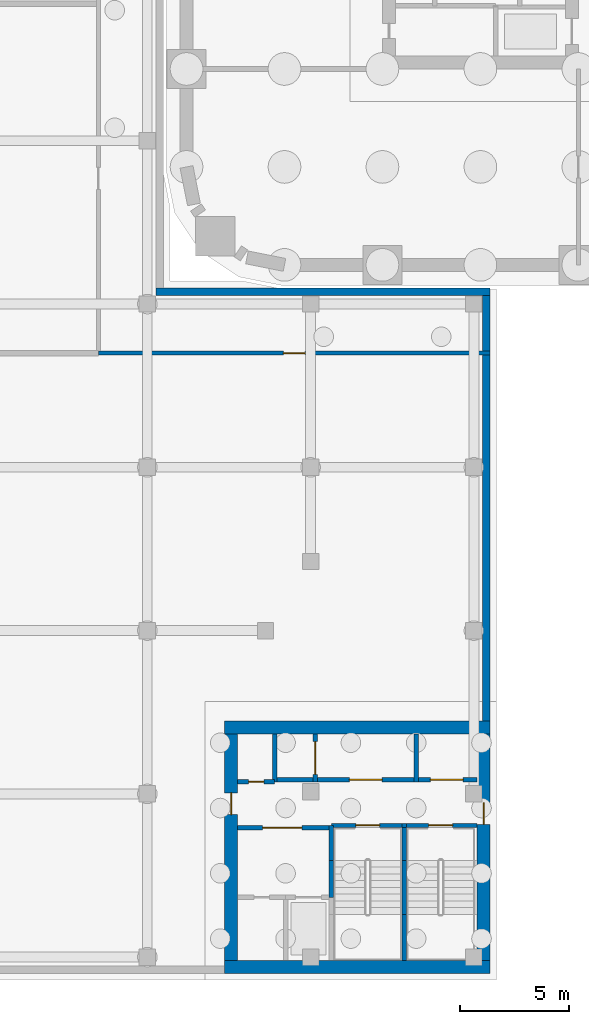
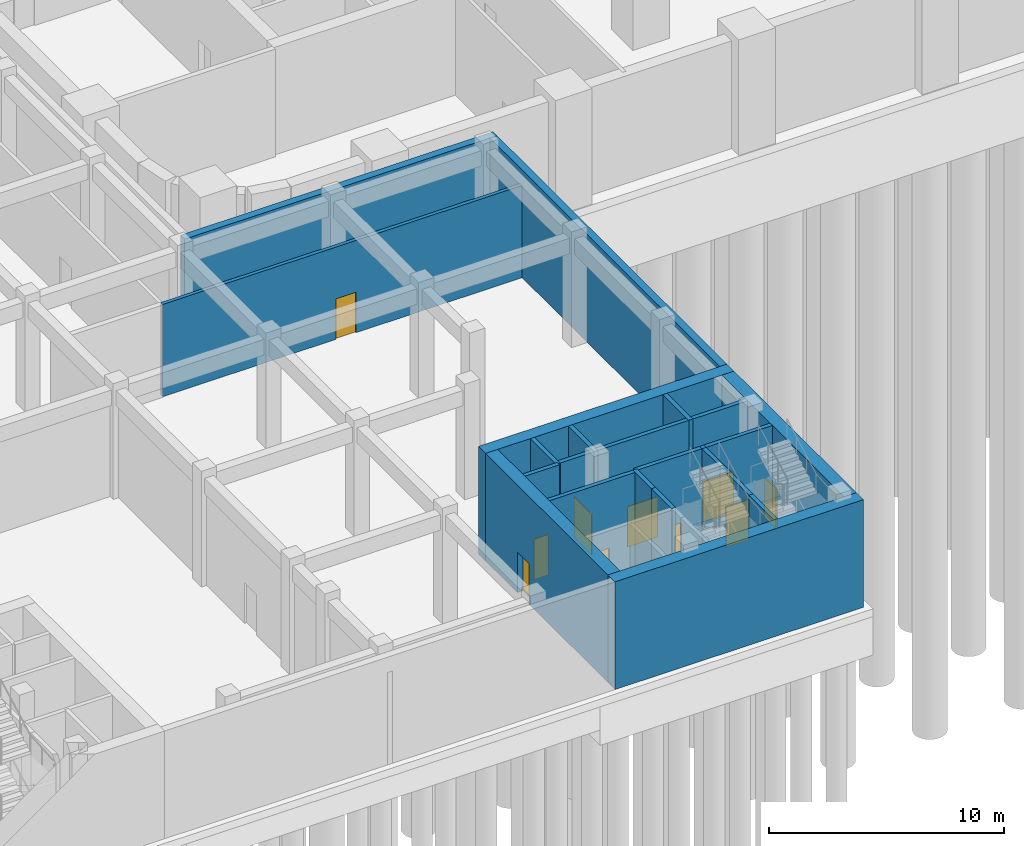
# One storey, part 5 of 26: 21 walls, 10 doors, 10 openings.
"""IFC4 building model written with IfcOpenShell, lengths in metres."""

import ifcopenshell
import ifcopenshell.guid

model = None  # the IFC model being written
_history = None  # IfcOwnerHistory: only IFC2X3 demands one
_inside = {}  # id of a spatial element -> (the spatial element, [elements in it])
_under = {}  # id of a project, library or spatial element -> (it, [spatial elements below it])
_declared = {}  # id of a project -> (the project, [libraries it declares])
_typed = {}  # id of a type object -> (the type object, [elements of that type])
_made_of = {}  # id of a material, layer set ... -> (it, [elements and type objects made of it])


def new_model(schema):
    """Start an empty IFC model of exactly this schema.

    Asked for "IFC4X3", IfcOpenShell would pick the latest addendum, in which some entities
    have other attributes; the version numbers below select the first issue.
    IFC2X3 requires an IfcOwnerHistory on every rooted entity: one is made here for all.
    """
    global model, _history
    if schema == "IFC4X3":
        model = ifcopenshell.file(schema_version=(4, 3, 0, 0))
    else:
        model = ifcopenshell.file(schema=schema)
    _inside.clear()
    _under.clear()
    _declared.clear()
    _typed.clear()
    _made_of.clear()
    _history = None
    if model.schema == "IFC2X3":
        org = make("IfcOrganization", Name="unknown")
        user = make(
            "IfcPersonAndOrganization",
            ThePerson=make("IfcPerson", FamilyName="unknown"),
            TheOrganization=org,
        )
        app = make(
            "IfcApplication",
            ApplicationDeveloper=org,
            Version="unknown",
            ApplicationFullName="unknown",
            ApplicationIdentifier="unknown",
        )
        _history = make(
            "IfcOwnerHistory",
            OwningUser=user,
            OwningApplication=app,
            ChangeAction="ADDED",
            CreationDate=0,
        )
    return model


def make(cls, **values):
    """One entity of the class cls with the attributes given. An attribute that is None is left unset."""
    return model.create_entity(
        cls, **{name: value for name, value in values.items() if value is not None}
    )


def rooted(cls, **values):
    """An entity with a GlobalId (a new one), such as an element, a storey or a relation."""
    return make(cls, GlobalId=ifcopenshell.guid.new(), OwnerHistory=_history, **values)


def si_unit(unit_type, name, prefix=None):
    """IfcSIUnit, for example si_unit("LENGTHUNIT", "METRE", prefix="MILLI")."""
    return make("IfcSIUnit", UnitType=unit_type, Prefix=prefix, Name=name)


def assignment(units):
    """IfcUnitAssignment: the units of a project."""
    return None if units is None else make("IfcUnitAssignment", Units=units)


def point(xyz):
    """IfcCartesianPoint."""
    return None if xyz is None else make("IfcCartesianPoint", Coordinates=xyz)


def direction(xyz):
    """IfcDirection."""
    return None if xyz is None else make("IfcDirection", DirectionRatios=xyz)


def frame(location, z_axis=None, x_axis=None):
    """IfcAxis2Placement3D, a coordinate frame: its origin and axes. An axis left out is left unset."""
    return make(
        "IfcAxis2Placement3D",
        Location=point(location),
        Axis=direction(z_axis),
        RefDirection=direction(x_axis),
    )


def frame_2d(location, x_axis=None):
    """IfcAxis2Placement2D, a coordinate frame in the plane: its origin and x axis."""
    return make(
        "IfcAxis2Placement2D", Location=point(location), RefDirection=direction(x_axis)
    )


def origin():
    """The frame at (0, 0, 0) with its axes left unset."""
    return frame((0.0, 0.0, 0.0))


def place(relative_to, where):
    """IfcLocalPlacement: puts the frame where relative to a parent placement (None: the world)."""
    return make(
        "IfcLocalPlacement", PlacementRelTo=relative_to, RelativePlacement=where
    )


def context(
    kind, dimensions, precision=None, world=None, true_north=None, identifier=None
):
    """IfcGeometricRepresentationContext, for example the 3D "Model" context."""
    return make(
        "IfcGeometricRepresentationContext",
        ContextIdentifier=identifier,
        ContextType=kind,
        CoordinateSpaceDimension=dimensions,
        Precision=precision,
        WorldCoordinateSystem=world,
        TrueNorth=true_north,
    )


def subcontext(parent, identifier, kind, view, scale=None):
    """IfcGeometricRepresentationSubContext, for example "Body" below "Model"."""
    return make(
        "IfcGeometricRepresentationSubContext",
        ContextIdentifier=identifier,
        ContextType=kind,
        ParentContext=parent,
        TargetScale=scale,
        TargetView=view,
    )


def project(units=None, contexts=None):
    """IfcProject with its units and contexts."""
    return rooted(
        "IfcProject",
        Name="project",
        RepresentationContexts=contexts,
        UnitsInContext=assignment(units),
    )


def spatial(cls, under=None, at=None, **own):
    """A site, building, storey or space (cls), placed at a placement, below another one or the project."""
    s = rooted(cls, ObjectPlacement=at, **own)
    if under is not None:
        _under.setdefault(under.id(), (under, []))[1].append(s)
    return s


def profile(cls, at=None, kind="AREA", **sizes):
    """A parametric profile (cls). Its sizes go by their IFC names, for example OverallWidth=200.0."""
    return make(cls, ProfileType=kind, Position=at, **sizes)


def rectangle(**sizes):
    """IfcRectangleProfileDef."""
    return profile("IfcRectangleProfileDef", **sizes)


def extrude(swept, where, along, depth):
    """IfcExtrudedAreaSolid: the profile swept, set in the frame where, extruded along a direction by depth."""
    return make(
        "IfcExtrudedAreaSolid",
        SweptArea=swept,
        Position=where,
        ExtrudedDirection=direction(along),
        Depth=depth,
    )


def shape(context_of_items, identifier, shape_type, items):
    """IfcShapeRepresentation: the items that make up one representation, for example the "Body"."""
    return make(
        "IfcShapeRepresentation",
        ContextOfItems=context_of_items,
        RepresentationIdentifier=identifier,
        RepresentationType=shape_type,
        Items=items,
    )


def material(Name=None, Category=None):
    """IfcMaterial."""
    return make("IfcMaterial", Name=Name, Category=Category)


def layer(
    of_material, thickness, ventilated=None, Name=None, Category=None, Priority=None
):
    """IfcMaterialLayer: one layer of a wall or slab, of a material (None: an air gap)."""
    return make(
        "IfcMaterialLayer",
        Material=of_material,
        LayerThickness=thickness,
        IsVentilated=ventilated,
        Name=Name,
        Category=Category,
        Priority=Priority,
    )


def layer_set(layers, Name=None):
    """IfcMaterialLayerSet."""
    return make("IfcMaterialLayerSet", MaterialLayers=layers, LayerSetName=Name)


def made_of(thing, what):
    """Note that an element or type object is made of a material, layer set ...; save() writes the relation."""
    if what is not None:
        _made_of.setdefault(what.id(), (what, []))[1].append(thing)
    return thing


def type_object(cls, material=None, **own):
    """A type object (cls), such as IfcWallType, which elements share."""
    return made_of(rooted(cls, **own), material)


def element(
    cls,
    number,
    at=None,
    inside=None,
    cuts=None,
    type_object=None,
    material=None,
    context=None,
    identifier="Body",
    shape_type=None,
    held_by="IfcProductDefinitionShape",
    body=None,
    shapes=None,
    **own,
):
    """One element of the class cls, such as IfcWall. Its Tag is "e" and its number.

    at: its placement. inside: the storey or other place that contains it. cuts: it is an
    opening in that element (IfcRelVoidsElement). A single representation is given by context,
    identifier, shape_type and body (its items); several are given by shapes. held_by: the class
    of the entity that holds the representations. save() writes the other relations.
    """
    e = rooted(cls, Tag="e%d" % number, ObjectPlacement=at, **own)
    if body is not None:
        shapes = [shape(context, identifier, shape_type, body)]
    if shapes is not None:
        e.Representation = make(held_by, Representations=shapes)
    if inside is not None:
        _inside.setdefault(inside.id(), (inside, []))[1].append(e)
    if cuts is not None:
        rooted(
            "IfcRelVoidsElement", RelatingBuildingElement=cuts, RelatedOpeningElement=e
        )
    if type_object is not None:
        _typed.setdefault(type_object.id(), (type_object, []))[1].append(e)
    return made_of(e, material)


def fill(opening, filler):
    """IfcRelFillsElement: the door or window that sits in an opening."""
    return rooted(
        "IfcRelFillsElement",
        RelatingOpeningElement=opening,
        RelatedBuildingElement=filler,
    )


def aggregate(whole, parts):
    """IfcRelAggregates: a whole, such as a stair, and the parts it consists of."""
    return rooted("IfcRelAggregates", RelatingObject=whole, RelatedObjects=parts)


def save(model, path):
    """Write the relations noted so far, then the file.

    IfcRelAggregates (storeys below a building ...), IfcRelContainedInSpatialStructure (elements
    in a storey), IfcRelDefinesByType, IfcRelAssociatesMaterial and IfcRelDeclares: one each for
    every whole, place, type object, material and project.
    """
    for whole, parts in _under.values():
        aggregate(whole, parts)
    for where, things in _inside.values():
        rooted(
            "IfcRelContainedInSpatialStructure",
            RelatedElements=things,
            RelatingStructure=where,
        )
    for kind, things in _typed.values():
        rooted("IfcRelDefinesByType", RelatedObjects=things, RelatingType=kind)
    for what, things in _made_of.values():
        rooted("IfcRelAssociatesMaterial", RelatedObjects=things, RelatingMaterial=what)
    for by, libraries in _declared.values():
        rooted("IfcRelDeclares", RelatingContext=by, RelatedDefinitions=libraries)
    model.write(path)


model = new_model("IFC4")

# Units and contexts
model_context = context("Model", 3, precision=1e-05, world=origin(), true_north=direction((0.0, 1.0)))
body_context = subcontext(model_context, "Body", "Model", "MODEL_VIEW")
ifc_project = project(units=[si_unit("LENGTHUNIT", "METRE"), si_unit("AREAUNIT", "SQUARE_METRE"), si_unit("VOLUMEUNIT", "CUBIC_METRE"), si_unit("PLANEANGLEUNIT", "RADIAN"), si_unit("MASSUNIT", "GRAM", prefix="KILO")], contexts=[model_context])

# Site, building, storey
site_placement = place(None, origin())
site = spatial("IfcSite", under=ifc_project, at=site_placement, CompositionType="ELEMENT")
building_placement = place(site_placement, origin())
building = spatial("IfcBuilding", under=site, at=building_placement, Name="Tessera Arch", CompositionType="ELEMENT")
storey_placement = place(building_placement, frame((0.0, 0.0, -6.0)))
storey = spatial("IfcBuildingStorey", under=building, at=storey_placement, Name="B1", CompositionType="ELEMENT", Elevation=-6.0)

# Wall, opening, door
ifc_material_1 = material(Name="Gypsum board on steel stud", Category="steel")
ifc_layer_1 = layer(ifc_material_1, 0.125)
ifc_layer_set_1 = layer_set([ifc_layer_1], Name="Core partition 125 EI 60")
wall_type_1 = type_object("IfcWallType", Name="Core partition 125 EI 60", PredefinedType="PARTITIONING", material=ifc_layer_set_1)
wall_1_placement = place(storey_placement, frame((5.909912109375, -23.75, 0.0), z_axis=(0.0, 0.0, 1.0), x_axis=(0.0, 1.0, 0.0)))
wall_1 = element("IfcWall", 1, at=wall_1_placement, inside=storey, type_object=wall_type_1, Name="B1 M3 partition wall 3", PredefinedType="PARTITIONING", context=body_context, shape_type="SweptSolid", body=[
    extrude(rectangle(XDim=2.199951171875, YDim=0.199951171875, at=frame_2d((1.10009765625, 0.0))), origin(), (0.0, 0.0, 1.0), 5.590087890625),
])
opening_1_placement = place(wall_1_placement, frame((0.35009765625, 0.0, 0.0)))
opening_1 = element("IfcOpeningElement", 2, at=opening_1_placement, cuts=wall_1, Name="Opening B1-C75", PredefinedType="OPENING", context=body_context, shape_type="SweptSolid", body=[
    extrude(rectangle(XDim=1.5, YDim=2.10009765625, at=frame_2d((0.75, 1.050048828125))), frame((0.0, 0.10986328125, 0.0), z_axis=(0.0, -1.0, 0.0), x_axis=(1.0, 0.0, 0.0)), (0.0, 0.0, 1.0), 0.219970703125),
])
ifc_material_2 = material(Name="Steel door leaf", Category="steel")
door_type_1 = type_object("IfcDoorType", Name="Plant door FD60 1500 x 2100", OperationType="DOUBLE_DOOR_SINGLE_SWING", PredefinedType="DOOR", material=ifc_material_2)
door_1_placement = place(opening_1_placement, origin())
door_1 = element("IfcDoor", 3, at=door_1_placement, inside=storey, type_object=door_type_1, Name="B1 M3 door 11 C75 type D08", OperationType="DOUBLE_DOOR_SINGLE_SWING", OverallHeight=2.10009765625, OverallWidth=1.5, PredefinedType="DOOR", context=body_context, shape_type="SweptSolid", body=[
    extrude(rectangle(XDim=1.5, YDim=2.10009765625, at=frame_2d((0.75, 1.050048828125))), frame((0.0, 0.02490234375, 0.0), z_axis=(0.0, -1.0, 0.0), x_axis=(1.0, 0.0, 0.0)), (0.0, 0.0, 1.0), 0.050048828125),
])
fill(opening_1, door_1)

# Wall
wall_2_placement = place(storey_placement, frame((10.56005859375, -23.75, 0.0), z_axis=(0.0, 0.0, 1.0), x_axis=(0.0, 1.0, 0.0)))
element("IfcWall", 4, at=wall_2_placement, inside=storey, type_object=wall_type_1, Name="B1 M3 partition wall 11", PredefinedType="PARTITIONING", context=body_context, shape_type="SweptSolid", body=[
    extrude(rectangle(XDim=2.199951171875, YDim=0.199951171875, at=frame_2d((1.10009765625, 0.0))), origin(), (0.0, 0.0, 1.0), 5.590087890625),
])

# Wall, opening, door
wall_3_placement = place(storey_placement, frame((2.35009765625, -25.85009765625, 0.0), z_axis=(0.0, 0.0, 1.0), x_axis=(1.0, 0.0, 0.0)))
wall_3 = element("IfcWall", 5, at=wall_3_placement, inside=storey, type_object=wall_type_1, Name="B1 M3 partition wall 14", PredefinedType="PARTITIONING", context=body_context, shape_type="SweptSolid", body=[
    extrude(rectangle(XDim=4.2998046875, YDim=0.199951171875, at=frame_2d((2.14990234375, 0.0))), origin(), (0.0, 0.0, 1.0), 5.590087890625),
])
opening_2_placement = place(wall_3_placement, frame((1.14990234375, 0.0, 0.0)))
opening_2 = element("IfcOpeningElement", 6, at=opening_2_placement, cuts=wall_3, Name="Opening B1-C68", PredefinedType="OPENING", context=body_context, shape_type="SweptSolid", body=[
    extrude(rectangle(XDim=1.800048828125, YDim=2.10009765625, at=frame_2d((0.89990234375, 1.050048828125))), frame((0.0, 0.10986328125, 0.0), z_axis=(0.0, -1.0, 0.0), x_axis=(1.0, 0.0, 0.0)), (0.0, 0.0, 1.0), 0.219970703125),
])
ifc_material_3 = material(Name="Glazed steel door leaf", Category="steel")
door_type_2 = type_object("IfcDoorType", Name="Lobby double door FD60 1800 x 2100", OperationType="DOUBLE_DOOR_SINGLE_SWING", PredefinedType="DOOR", material=ifc_material_3)
door_2_placement = place(opening_2_placement, origin())
door_2 = element("IfcDoor", 7, at=door_2_placement, inside=storey, type_object=door_type_2, Name="B1 M3 door 4 C68 type D19", OperationType="DOUBLE_DOOR_SINGLE_SWING", OverallHeight=2.10009765625, OverallWidth=1.800048828125, PredefinedType="DOOR", context=body_context, shape_type="SweptSolid", body=[
    extrude(rectangle(XDim=1.800048828125, YDim=2.10009765625, at=frame_2d((0.89990234375, 1.050048828125))), frame((0.0, 0.02490234375, 0.0), z_axis=(0.0, -1.0, 0.0), x_axis=(1.0, 0.0, 0.0)), (0.0, 0.0, 1.0), 0.050048828125),
])
fill(opening_2, door_2)

# Wall, openings, doors
wall_4_placement = place(storey_placement, frame((4.050048828125, -23.64990234375, 0.0), z_axis=(0.0, 0.0, 1.0), x_axis=(1.0, 0.0, 0.0)))
wall_4 = element("IfcWall", 8, at=wall_4_placement, inside=storey, type_object=wall_type_1, Name="B1 M3 partition wall 18", PredefinedType="PARTITIONING", context=body_context, shape_type="SweptSolid", body=[
    extrude(rectangle(XDim=9.300048828125, YDim=0.199951171875, at=frame_2d((4.64990234375, 0.0))), origin(), (0.0, 0.0, 1.0), 5.590087890625),
])
opening_3_placement = place(wall_4_placement, frame((3.43505859375, 0.0, 0.0)))
opening_3 = element("IfcOpeningElement", 9, at=opening_3_placement, cuts=wall_4, Name="Opening B1-C73", PredefinedType="OPENING", context=body_context, shape_type="SweptSolid", body=[
    extrude(rectangle(XDim=1.5, YDim=2.10009765625, at=frame_2d((0.75, 1.050048828125))), frame((0.0, 0.10986328125, 0.0), z_axis=(0.0, -1.0, 0.0), x_axis=(1.0, 0.0, 0.0)), (0.0, 0.0, 1.0), 0.219970703125),
])
opening_4_placement = place(wall_4_placement, frame((7.155029296875, 0.0, 0.0)))
opening_4 = element("IfcOpeningElement", 10, at=opening_4_placement, cuts=wall_4, Name="Opening B1-C74", PredefinedType="OPENING", context=body_context, shape_type="SweptSolid", body=[
    extrude(rectangle(XDim=1.5, YDim=2.10009765625, at=frame_2d((0.75, 1.050048828125))), frame((0.0, 0.10986328125, 0.0), z_axis=(0.0, -1.0, 0.0), x_axis=(1.0, 0.0, 0.0)), (0.0, 0.0, 1.0), 0.219970703125),
])
door_3_placement = place(opening_3_placement, origin())
door_3 = element("IfcDoor", 11, at=door_3_placement, inside=storey, type_object=door_type_1, Name="B1 M3 door 9 C73 type D08", OperationType="DOUBLE_DOOR_SINGLE_SWING", OverallHeight=2.10009765625, OverallWidth=1.5, PredefinedType="DOOR", context=body_context, shape_type="SweptSolid", body=[
    extrude(rectangle(XDim=1.5, YDim=2.10009765625, at=frame_2d((0.75, 1.050048828125))), frame((0.0, 0.02490234375, 0.0), z_axis=(0.0, -1.0, 0.0), x_axis=(1.0, 0.0, 0.0)), (0.0, 0.0, 1.0), 0.050048828125),
])
fill(opening_3, door_3)
door_4_placement = place(opening_4_placement, origin())
door_4 = element("IfcDoor", 12, at=door_4_placement, inside=storey, type_object=door_type_1, Name="B1 M3 door 10 C74 type D08", OperationType="DOUBLE_DOOR_SINGLE_SWING", OverallHeight=2.10009765625, OverallWidth=1.5, PredefinedType="DOOR", context=body_context, shape_type="SweptSolid", body=[
    extrude(rectangle(XDim=1.5, YDim=2.10009765625, at=frame_2d((0.75, 1.050048828125))), frame((0.0, 0.02490234375, 0.0), z_axis=(0.0, -1.0, 0.0), x_axis=(1.0, 0.0, 0.0)), (0.0, 0.0, 1.0), 0.050048828125),
])
fill(opening_4, door_4)

# Walls
ifc_material_4 = material(Name="Concrete C70/85", Category="concrete")
ifc_layer_2 = layer(ifc_material_4, 0.60009765625)
ifc_layer_set_2 = layer_set([ifc_layer_2], Name="Core shell wall 600 C70-85")
wall_type_2 = type_object("IfcWallType", Name="Core shell wall 600 C70-85", PredefinedType="SHEAR", material=ifc_layer_set_2)
for number, where, z_axis, x_axis, name in (
    (13, (1.75, -32.25, 0.0), (0.0, 0.0, 1.0), (1.0, 0.0, 0.0), "B1 M3 core wall S"),
    (14, (1.75, -21.25, 0.0), (0.0, 0.0, 1.0), (1.0, 0.0, 0.0), "B1 M3 core wall N"),
):
    element("IfcWall", number, at=place(storey_placement, frame(where, z_axis=z_axis, x_axis=x_axis)), inside=storey, type_object=wall_type_2, Name=name, PredefinedType="SHEAR", context=body_context, shape_type="SweptSolid", body=[
        extrude(rectangle(XDim=12.199951171875, YDim=0.60009765625, at=frame_2d((6.10009765625, 0.0))), origin(), (0.0, 0.0, 1.0), 5.590087890625),
    ])

# Wall, opening, door
wall_5_placement = place(storey_placement, frame((2.050048828125, -31.949951171875, 0.0), z_axis=(0.0, 0.0, 1.0), x_axis=(0.0, 1.0, 0.0)))
wall_5 = element("IfcWall", 15, at=wall_5_placement, inside=storey, type_object=wall_type_2, Name="B1 M3 core wall W", PredefinedType="SHEAR", context=body_context, shape_type="SweptSolid", body=[
    extrude(rectangle(XDim=10.39990234375, YDim=0.60009765625, at=frame_2d((5.199951171875, 0.0))), origin(), (0.0, 0.0, 1.0), 5.590087890625),
])
opening_5_placement = place(wall_5_placement, frame((6.699951171875, 0.0, 0.0)))
opening_5 = element("IfcOpeningElement", 16, at=opening_5_placement, cuts=wall_5, Name="Opening B1-C71", PredefinedType="OPENING", context=body_context, shape_type="SweptSolid", body=[
    extrude(rectangle(XDim=1.0, YDim=2.10009765625, at=frame_2d((0.5, 1.050048828125))), frame((0.0, 0.31005859375, 0.0), z_axis=(0.0, -1.0, 0.0), x_axis=(1.0, 0.0, 0.0)), (0.0, 0.0, 1.0), 0.6201171875),
])
ifc_material_5 = material(Name="Steel door leaf", Category="steel")
door_type_3 = type_object("IfcDoorType", Name="Corridor door FD60 1000 x 2100", OperationType="SINGLE_SWING_LEFT", PredefinedType="DOOR", material=ifc_material_5)
door_5_placement = place(opening_5_placement, origin())
door_5 = element("IfcDoor", 17, at=door_5_placement, inside=storey, type_object=door_type_3, Name="B1 M3 door 7 C71 type D12", OperationType="SINGLE_SWING_RIGHT", OverallHeight=2.10009765625, OverallWidth=1.0, PredefinedType="DOOR", context=body_context, shape_type="SweptSolid", body=[
    extrude(rectangle(XDim=1.0, YDim=2.10009765625, at=frame_2d((0.5, 1.050048828125))), frame((0.0, 0.02490234375, 0.0), z_axis=(0.0, -1.0, 0.0), x_axis=(1.0, 0.0, 0.0)), (0.0, 0.0, 1.0), 0.050048828125),
])
fill(opening_5, door_5)

wall_6_placement = place(storey_placement, frame((13.64990234375, -31.949951171875, 0.0), z_axis=(0.0, 0.0, 1.0), x_axis=(0.0, 1.0, 0.0)))
wall_6 = element("IfcWall", 18, at=wall_6_placement, inside=storey, type_object=wall_type_2, Name="B1 M3 core wall E", PredefinedType="SHEAR", context=body_context, shape_type="SweptSolid", body=[
    extrude(rectangle(XDim=10.39990234375, YDim=0.60009765625, at=frame_2d((5.199951171875, 0.0))), origin(), (0.0, 0.0, 1.0), 5.590087890625),
])
opening_6_placement = place(wall_6_placement, frame((6.25, 0.0, 0.0)))
opening_6 = element("IfcOpeningElement", 19, at=opening_6_placement, cuts=wall_6, Name="Opening B1-C72", PredefinedType="OPENING", context=body_context, shape_type="SweptSolid", body=[
    extrude(rectangle(XDim=1.0, YDim=2.10009765625, at=frame_2d((0.5, 1.050048828125))), frame((0.0, 0.31005859375, 0.0), z_axis=(0.0, -1.0, 0.0), x_axis=(1.0, 0.0, 0.0)), (0.0, 0.0, 1.0), 0.6201171875),
])
door_6_placement = place(opening_6_placement, origin())
door_6 = element("IfcDoor", 20, at=door_6_placement, inside=storey, type_object=door_type_3, Name="B1 M3 door 8 C72 type D12", OperationType="SINGLE_SWING_RIGHT", OverallHeight=2.10009765625, OverallWidth=1.0, PredefinedType="DOOR", context=body_context, shape_type="SweptSolid", body=[
    extrude(rectangle(XDim=1.0, YDim=2.10009765625, at=frame_2d((0.5, 1.050048828125))), frame((0.0, 0.02490234375, 0.0), z_axis=(0.0, -1.0, 0.0), x_axis=(1.0, 0.0, 0.0)), (0.0, 0.0, 1.0), 0.050048828125),
])
fill(opening_6, door_6)

ifc_material_6 = material(Name="Gypsum board on deep steel stud with mineral wool", Category="steel")
ifc_layer_3 = layer(ifc_material_6, 0.175048828125)
ifc_layer_set_3 = layer_set([ifc_layer_3], Name="Corridor wall 175 EI 60")
wall_type_3 = type_object("IfcWallType", Name="Corridor wall 175 EI 60", PredefinedType="PARTITIONING", material=ifc_layer_set_3)
wall_7_placement = place(storey_placement, frame((-4.050048828125, -4.050048828125, 0.0), z_axis=(0.0, 0.0, 1.0), x_axis=(1.0, 0.0, 0.0)))
wall_7 = element("IfcWall", 21, at=wall_7_placement, inside=storey, type_object=wall_type_3, Name="B1 partition 1", PredefinedType="PARTITIONING", context=body_context, shape_type="SweptSolid", body=[
    extrude(rectangle(XDim=18.0, YDim=0.175048828125, at=frame_2d((9.0, 0.0))), origin(), (0.0, 0.0, 1.0), 4.7900390625),
])
opening_7_placement = place(wall_7_placement, frame((8.5, 0.0, 0.0)))
opening_7 = element("IfcOpeningElement", 22, at=opening_7_placement, cuts=wall_7, Name="Opening B1-D004", PredefinedType="OPENING", context=body_context, shape_type="SweptSolid", body=[
    extrude(rectangle(XDim=1.0, YDim=2.10009765625, at=frame_2d((0.5, 1.050048828125))), frame((0.0, 0.097412109375, 0.0), z_axis=(0.0, -1.0, 0.0), x_axis=(1.0, 0.0, 0.0)), (0.0, 0.0, 1.0), 0.195068359375),
])
ifc_material_7 = material(Name="Fire-rated door leaf")
door_type_4 = type_object("IfcDoorType", Name="Entrance door FD30S 1000 x 2100", OperationType="SINGLE_SWING_LEFT", PredefinedType="DOOR", material=ifc_material_7)
door_7_placement = place(opening_7_placement, origin())
door_7 = element("IfcDoor", 23, at=door_7_placement, inside=storey, type_object=door_type_4, Name="B1 door D004 type D03", OperationType="SINGLE_SWING_RIGHT", OverallHeight=2.10009765625, OverallWidth=1.0, PredefinedType="DOOR", context=body_context, shape_type="SweptSolid", body=[
    extrude(rectangle(XDim=1.0, YDim=2.10009765625, at=frame_2d((0.5, 1.050048828125))), frame((0.0, 0.02490234375, 0.0), z_axis=(0.0, -1.0, 0.0), x_axis=(1.0, 0.0, 0.0)), (0.0, 0.0, 1.0), 0.050048828125),
])
fill(opening_7, door_7)

# Walls
ifc_material_8 = material(Name="Concrete C50/60", Category="concrete")
ifc_layer_4 = layer(ifc_material_8, 0.35009765625)
ifc_layer_set_4 = layer_set([ifc_layer_4], Name="Museum basement wall 350 Concrete C50/60")
wall_type_4 = type_object("IfcWallType", Name="Museum basement wall 350 Concrete C50/60", PredefinedType="SOLIDWALL", material=ifc_layer_set_4)
wall_8_placement = place(storey_placement, frame((-1.39990234375, -1.22509765625, 0.0), z_axis=(0.0, 0.0, 1.0), x_axis=(1.0, 0.0, 0.0)))
element("IfcWall", 24, at=wall_8_placement, inside=storey, type_object=wall_type_4, Name="Museum basement wall B1 4", PredefinedType="SOLIDWALL", context=body_context, shape_type="SweptSolid", body=[
    extrude(rectangle(XDim=15.349853515625, YDim=0.35009765625, at=frame_2d((7.6748046875, 0.0))), origin(), (0.0, 0.0, 1.0), 5.590087890625),
])
wall_9_placement = place(storey_placement, frame((13.77490234375, -1.39990234375, 0.0), z_axis=(0.0, 0.0, 1.0), x_axis=(0.0, -1.0, 0.0)))
element("IfcWall", 25, at=wall_9_placement, inside=storey, type_object=wall_type_4, Name="Museum basement wall B1 5", PredefinedType="SOLIDWALL", context=body_context, shape_type="SweptSolid", body=[
    extrude(rectangle(XDim=19.550048828125, YDim=0.35009765625, at=frame_2d((9.77490234375, 0.0))), origin(), (0.0, 0.0, 1.0), 5.590087890625),
])
ifc_material_9 = material(Name="Concrete C40/50", Category="concrete")
ifc_layer_5 = layer(ifc_material_9, 0.199951171875)
ifc_layer_set_5 = layer_set([ifc_layer_5], Name="Shaft wall 200 EI 120")
wall_type_5 = type_object("IfcWallType", Name="Shaft wall 200 EI 120", PredefinedType="SOLIDWALL", material=ifc_layer_set_5)
wall_10_placement = place(storey_placement, frame((4.050048828125, -23.75, 0.0), z_axis=(0.0, 0.0, 1.0), x_axis=(0.0, 1.0, 0.0)))
element("IfcWall", 26, at=wall_10_placement, inside=storey, type_object=wall_type_5, Name="B1 M3 shaft wall 1", PredefinedType="SOLIDWALL", context=body_context, shape_type="SweptSolid", body=[
    extrude(rectangle(XDim=2.199951171875, YDim=0.199951171875, at=frame_2d((1.10009765625, 0.0))), origin(), (0.0, 0.0, 1.0), 5.590087890625),
])

# Wall, opening, door
wall_11_placement = place(storey_placement, frame((2.35009765625, -23.75, 0.0), z_axis=(0.0, 0.0, 1.0), x_axis=(1.0, 0.0, 0.0)))
wall_11 = element("IfcWall", 27, at=wall_11_placement, inside=storey, type_object=wall_type_5, Name="B1 M3 shaft wall 19", PredefinedType="SOLIDWALL", context=body_context, shape_type="SweptSolid", body=[
    extrude(rectangle(XDim=1.699951171875, YDim=0.199951171875, at=frame_2d((0.85009765625, 0.0))), origin(), (0.0, 0.0, 1.0), 5.590087890625),
])
opening_8_placement = place(wall_11_placement, frame((0.5, 0.0, 0.0)))
opening_8 = element("IfcOpeningElement", 28, at=opening_8_placement, cuts=wall_11, Name="Opening B1-C69", PredefinedType="OPENING", context=body_context, shape_type="SweptSolid", body=[
    extrude(rectangle(XDim=0.699951171875, YDim=2.10009765625, at=frame_2d((0.35009765625, 1.050048828125))), frame((0.0, 0.10986328125, 0.0), z_axis=(0.0, -1.0, 0.0), x_axis=(1.0, 0.0, 0.0)), (0.0, 0.0, 1.0), 0.219970703125),
])
ifc_material_10 = material(Name="Steel door leaf", Category="steel")
door_type_5 = type_object("IfcDoorType", Name="Service shaft door FD60 700 x 2100", OperationType="SINGLE_SWING_LEFT", PredefinedType="DOOR", material=ifc_material_10)
door_8_placement = place(opening_8_placement, origin())
door_8 = element("IfcDoor", 29, at=door_8_placement, inside=storey, type_object=door_type_5, Name="B1 M3 door 5 C69 type D07", OperationType="SINGLE_SWING_RIGHT", OverallHeight=2.10009765625, OverallWidth=0.699951171875, PredefinedType="DOOR", context=body_context, shape_type="SweptSolid", body=[
    extrude(rectangle(XDim=0.699951171875, YDim=2.10009765625, at=frame_2d((0.35009765625, 1.050048828125))), frame((0.0, 0.02490234375, 0.0), z_axis=(0.0, -1.0, 0.0), x_axis=(1.0, 0.0, 0.0)), (0.0, 0.0, 1.0), 0.050048828125),
])
fill(opening_8, door_8)

# Walls
ifc_material_11 = material(Name="Concrete C40/50", Category="concrete")
ifc_layer_6 = layer(ifc_material_11, 0.199951171875)
ifc_layer_set_6 = layer_set([ifc_layer_6], Name="Stair well wall 200 REI 180")
wall_type_6 = type_object("IfcWallType", Name="Stair well wall 200 REI 180", PredefinedType="SOLIDWALL", material=ifc_layer_set_6)
wall_12_placement = place(storey_placement, frame((6.64990234375, -29.050048828125, 0.0), z_axis=(0.0, 0.0, 1.0), x_axis=(0.0, 1.0, 0.0)))
element("IfcWall", 30, at=wall_12_placement, inside=storey, type_object=wall_type_6, Name="B1 M3 shaft wall 6", PredefinedType="SOLIDWALL", context=body_context, shape_type="SweptSolid", body=[
    extrude(rectangle(XDim=1.699951171875, YDim=0.199951171875, at=frame_2d((0.85009765625, 0.0))), origin(), (0.0, 0.0, 1.0), 5.590087890625),
])
wall_13_placement = place(storey_placement, frame((6.64990234375, -27.35009765625, 0.0), z_axis=(0.0, 0.0, 1.0), x_axis=(0.0, 1.0, 0.0)))
element("IfcWall", 31, at=wall_13_placement, inside=storey, type_object=wall_type_6, Name="B1 M3 shaft wall 7", PredefinedType="SOLIDWALL", context=body_context, shape_type="SweptSolid", body=[
    extrude(rectangle(XDim=1.60009765625, YDim=0.199951171875, at=frame_2d((0.800048828125, 0.0))), origin(), (0.0, 0.0, 1.0), 5.590087890625),
])
wall_14_placement = place(storey_placement, frame((10.0, -31.949951171875, 0.0), z_axis=(0.0, 0.0, 1.0), x_axis=(0.0, 1.0, 0.0)))
element("IfcWall", 32, at=wall_14_placement, inside=storey, type_object=wall_type_6, Name="B1 M3 shaft wall 8", PredefinedType="SOLIDWALL", context=body_context, shape_type="SweptSolid", body=[
    extrude(rectangle(XDim=2.119873046875, YDim=0.199951171875, at=frame_2d((1.06005859375, 0.0))), origin(), (0.0, 0.0, 1.0), 5.590087890625),
])
wall_15_placement = place(storey_placement, frame((10.0, -29.830078125, 0.0), z_axis=(0.0, 0.0, 1.0), x_axis=(0.0, 1.0, 0.0)))
element("IfcWall", 33, at=wall_15_placement, inside=storey, type_object=wall_type_6, Name="B1 M3 shaft wall 9", PredefinedType="SOLIDWALL", context=body_context, shape_type="SweptSolid", body=[
    extrude(rectangle(XDim=2.47998046875, YDim=0.199951171875, at=frame_2d((1.239990234375, 0.0))), origin(), (0.0, 0.0, 1.0), 5.590087890625),
])
wall_16_placement = place(storey_placement, frame((10.0, -27.35009765625, 0.0), z_axis=(0.0, 0.0, 1.0), x_axis=(0.0, 1.0, 0.0)))
element("IfcWall", 34, at=wall_16_placement, inside=storey, type_object=wall_type_6, Name="B1 M3 shaft wall 10", PredefinedType="SOLIDWALL", context=body_context, shape_type="SweptSolid", body=[
    extrude(rectangle(XDim=1.60009765625, YDim=0.199951171875, at=frame_2d((0.800048828125, 0.0))), origin(), (0.0, 0.0, 1.0), 5.590087890625),
])

# Wall, opening, door
wall_17_placement = place(storey_placement, frame((6.64990234375, -25.75, 0.0), z_axis=(0.0, 0.0, 1.0), x_axis=(1.0, 0.0, 0.0)))
wall_17 = element("IfcWall", 35, at=wall_17_placement, inside=storey, type_object=wall_type_6, Name="B1 M3 shaft wall 15", PredefinedType="SOLIDWALL", context=body_context, shape_type="SweptSolid", body=[
    extrude(rectangle(XDim=3.25, YDim=0.199951171875, at=frame_2d((1.625, 0.0))), origin(), (0.0, 0.0, 1.0), 5.590087890625),
])
opening_9_placement = place(wall_17_placement, frame((1.125, 0.0, 0.0)))
opening_9 = element("IfcOpeningElement", 36, at=opening_9_placement, cuts=wall_17, Name="Opening B1-C67", PredefinedType="OPENING", context=body_context, shape_type="SweptSolid", body=[
    extrude(rectangle(XDim=1.10009765625, YDim=2.10009765625, at=frame_2d((0.550048828125, 1.050048828125))), frame((0.0, 0.10986328125, 0.0), z_axis=(0.0, -1.0, 0.0), x_axis=(1.0, 0.0, 0.0)), (0.0, 0.0, 1.0), 0.219970703125),
])
ifc_material_12 = material(Name="Steel door leaf", Category="steel")
door_type_6 = type_object("IfcDoorType", Name="Stair door FD60 1100 x 2100", OperationType="SINGLE_SWING_LEFT", PredefinedType="DOOR", material=ifc_material_12)
door_9_placement = place(opening_9_placement, origin())
door_9 = element("IfcDoor", 37, at=door_9_placement, inside=storey, type_object=door_type_6, Name="B1 M3 door 3 C67 type D05", OperationType="SINGLE_SWING_RIGHT", OverallHeight=2.10009765625, OverallWidth=1.10009765625, PredefinedType="DOOR", context=body_context, shape_type="SweptSolid", body=[
    extrude(rectangle(XDim=1.10009765625, YDim=2.10009765625, at=frame_2d((0.550048828125, 1.050048828125))), frame((0.0, 0.02490234375, 0.0), z_axis=(0.0, -1.0, 0.0), x_axis=(1.0, 0.0, 0.0)), (0.0, 0.0, 1.0), 0.050048828125),
])
fill(opening_9, door_9)

# Wall
wall_18_placement = place(storey_placement, frame((9.89990234375, -25.75, 0.0), z_axis=(0.0, 0.0, 1.0), x_axis=(1.0, 0.0, 0.0)))
element("IfcWall", 38, at=wall_18_placement, inside=storey, type_object=wall_type_6, Name="B1 M3 shaft wall 16", PredefinedType="SOLIDWALL", context=body_context, shape_type="SweptSolid", body=[
    extrude(rectangle(XDim=0.2001953125, YDim=0.199951171875, at=frame_2d((0.10009765625, 0.0))), origin(), (0.0, 0.0, 1.0), 5.590087890625),
])

# Wall, opening, door
wall_19_placement = place(storey_placement, frame((10.10009765625, -25.75, 0.0), z_axis=(0.0, 0.0, 1.0), x_axis=(1.0, 0.0, 0.0)))
wall_19 = element("IfcWall", 39, at=wall_19_placement, inside=storey, type_object=wall_type_6, Name="B1 M3 shaft wall 17", PredefinedType="SOLIDWALL", context=body_context, shape_type="SweptSolid", body=[
    extrude(rectangle(XDim=3.25, YDim=0.199951171875, at=frame_2d((1.625, 0.0))), origin(), (0.0, 0.0, 1.0), 5.590087890625),
])
opening_10_placement = place(wall_19_placement, frame((1.02490234375, 0.0, 0.0)))
opening_10 = element("IfcOpeningElement", 40, at=opening_10_placement, cuts=wall_19, Name="Opening B1-C66", PredefinedType="OPENING", context=body_context, shape_type="SweptSolid", body=[
    extrude(rectangle(XDim=1.10009765625, YDim=2.10009765625, at=frame_2d((0.550048828125, 1.050048828125))), frame((0.0, 0.10986328125, 0.0), z_axis=(0.0, -1.0, 0.0), x_axis=(1.0, 0.0, 0.0)), (0.0, 0.0, 1.0), 0.219970703125),
])
door_10_placement = place(opening_10_placement, origin())
door_10 = element("IfcDoor", 41, at=door_10_placement, inside=storey, type_object=door_type_6, Name="B1 M3 door 2 C66 type D05", OperationType="SINGLE_SWING_LEFT", OverallHeight=2.10009765625, OverallWidth=1.10009765625, PredefinedType="DOOR", context=body_context, shape_type="SweptSolid", body=[
    extrude(rectangle(XDim=1.10009765625, YDim=2.10009765625, at=frame_2d((0.550048828125, 1.050048828125))), frame((0.0, 0.02490234375, 0.0), z_axis=(0.0, -1.0, 0.0), x_axis=(1.0, 0.0, 0.0)), (0.0, 0.0, 1.0), 0.050048828125),
])
fill(opening_10, door_10)

save(model, "model.ifc")
